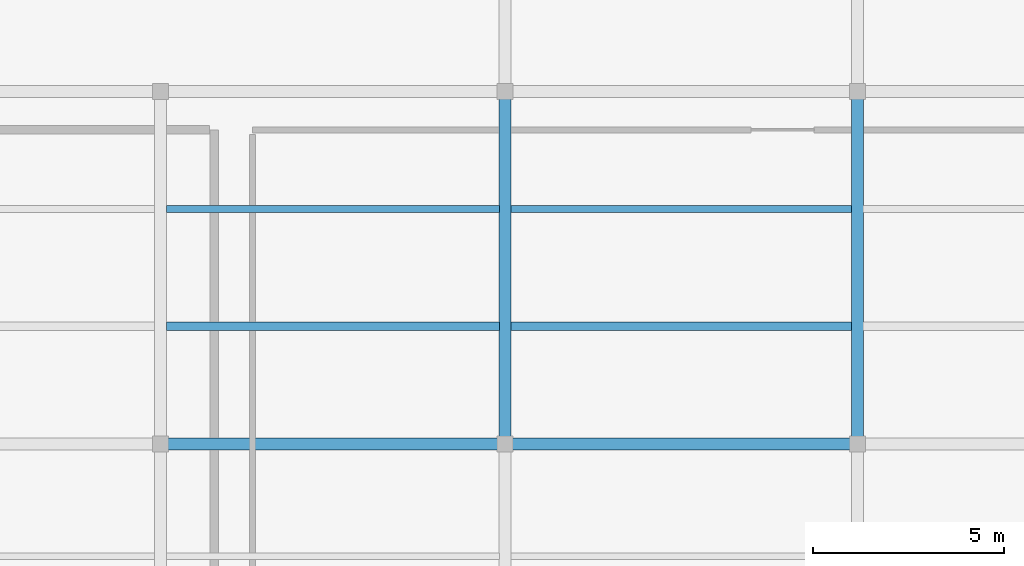
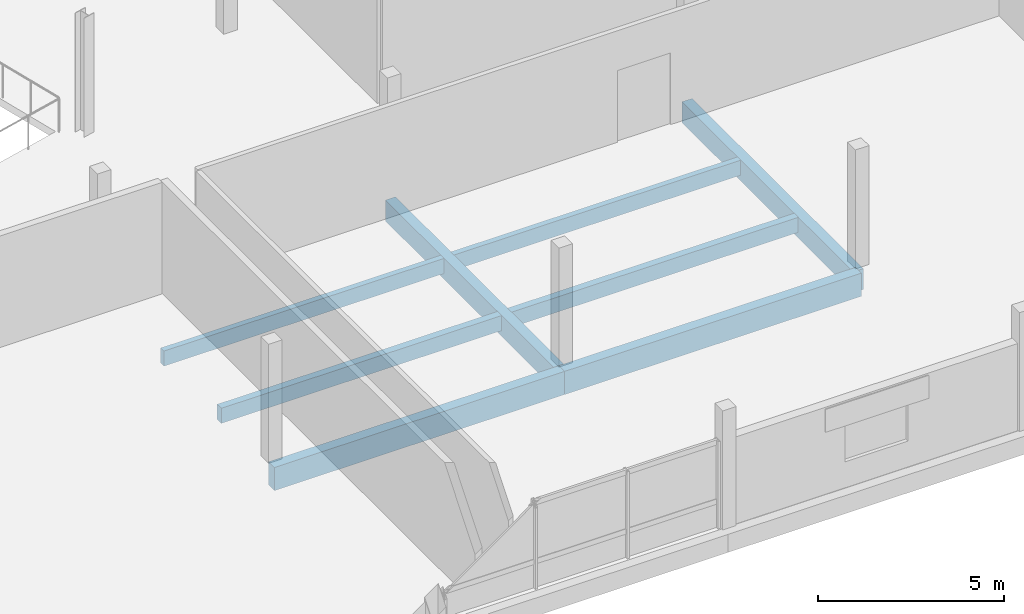
# One storey, part 12 of 47: 8 beams.
"""IFC4 building model written with IfcOpenShell, lengths in metres."""

from ifc_helpers import new_model, si_unit, direction, frame, origin, origin_2d, place, context, subcontext, project, spatial, rectangle, extrude, material, material_profile, profile_set, type_object, element, save


model = new_model("IFC4")

# Units and contexts
model_context = context("Model", 3, precision=1e-05, world=origin(), true_north=direction((0.0, 1.0)))
body_context = subcontext(model_context, "Body", "Model", "MODEL_VIEW")
ifc_project = project(units=[si_unit("LENGTHUNIT", "METRE"), si_unit("AREAUNIT", "SQUARE_METRE"), si_unit("VOLUMEUNIT", "CUBIC_METRE"), si_unit("PLANEANGLEUNIT", "RADIAN"), si_unit("MASSUNIT", "GRAM", prefix="KILO")], contexts=[model_context])

# Site, building, storey
site_placement = place(None, origin())
site = spatial("IfcSite", under=ifc_project, at=site_placement, CompositionType="ELEMENT")
building_placement = place(site_placement, origin())
building = spatial("IfcBuilding", under=site, at=building_placement, Name="Meriwether Solvik Hall", CompositionType="ELEMENT")
storey_placement = place(building_placement, frame((0.0, 0.0, 18.300048828125)))
storey = spatial("IfcBuildingStorey", under=building, at=storey_placement, Name="L04", CompositionType="ELEMENT", Elevation=18.300048828125)

# Beams
ifc_material_1 = material(Name="Glulam Douglas-Fir 24F-V8 GL28h", Category="wood")
ifc_material_profile_1 = material_profile(ifc_material_1, rectangle(XDim=0.31494140625, YDim=0.68505859375, at=origin_2d()), Name="GLB-315X685")
ifc_profile_set_1 = profile_set([ifc_material_profile_1], Name="Glulam Douglas-Fir 24F-V8 GL28h")
beam_type_1 = type_object("IfcBeamType", Name="BM-GL-315X685", PredefinedType="BEAM", material=ifc_profile_set_1)
for number, where, z_axis, x_axis, name in (
    (1, (95.800048828125, 14.0, -0.587646484375), (0.0, 1.0, 0.0), (-1.0, 0.0, 0.0), "Podium Girder 11:B-C (L04)"),
    (2, (105.0, 14.0, -0.587646484375), (0.0, 1.0, 0.0), (-1.0, 0.0, 0.0), "Podium Girder 12:B-C (L04)"),
):
    element("IfcBeam", number, at=place(storey_placement, frame(where, z_axis=z_axis, x_axis=x_axis)), inside=storey, type_object=beam_type_1, Name=name, PredefinedType="BEAM", context=body_context, shape_type="SweptSolid", body=[
        extrude(rectangle(XDim=0.31494140625, YDim=0.68505859375, at=origin_2d()), origin(), (0.0, 0.0, 1.0), 9.199951171875),
    ])
ifc_material_2 = material(Name="Glulam Douglas-Fir 24F-V8 GL28h", Category="wood")
ifc_material_profile_2 = material_profile(ifc_material_2, rectangle(XDim=0.31494140625, YDim=0.760009765625, at=origin_2d()), Name="GLB-315X760")
ifc_profile_set_2 = profile_set([ifc_material_profile_2], Name="Glulam Douglas-Fir 24F-V8 GL28h")
beam_type_2 = type_object("IfcBeamType", Name="BM-GL-315X760", PredefinedType="BEAM", material=ifc_profile_set_2)
beam_1_placement = place(storey_placement, frame((86.800048828125, 14.0, -0.625), z_axis=(1.0, 0.0, 0.0), x_axis=(0.0, 1.0, 0.0)))
element("IfcBeam", 3, at=beam_1_placement, inside=storey, type_object=beam_type_2, Name="Podium Girder B:10-11 (L04)", PredefinedType="BEAM", context=body_context, shape_type="SweptSolid", body=[
    extrude(rectangle(XDim=0.31494140625, YDim=0.760009765625, at=origin_2d()), origin(), (0.0, 0.0, 1.0), 9.0),
])
beam_2_placement = place(storey_placement, frame((95.800048828125, 14.0, -0.625), z_axis=(1.0, 0.0, 0.0), x_axis=(0.0, 1.0, 0.0)))
element("IfcBeam", 4, at=beam_2_placement, inside=storey, type_object=beam_type_2, Name="Podium Girder B:11-12 (L04)", PredefinedType="BEAM", context=body_context, shape_type="SweptSolid", body=[
    extrude(rectangle(XDim=0.31494140625, YDim=0.760009765625, at=origin_2d()), origin(), (0.0, 0.0, 1.0), 9.199951171875),
])
ifc_material_3 = material(Name="Glulam Douglas-Fir 24F-V8 GL28h", Category="wood")
ifc_material_profile_3 = material_profile(ifc_material_3, rectangle(XDim=0.175048828125, YDim=0.4951171875, at=origin_2d()), Name="GLJ-175X495")
ifc_profile_set_3 = profile_set([ifc_material_profile_3], Name="Glulam Douglas-Fir 24F-V8 GL28h")
beam_type_3 = type_object("IfcBeamType", Name="JST-GL-175X495", PredefinedType="JOIST", material=ifc_profile_set_3)
beam_3_placement = place(storey_placement, frame((86.952392578125, 20.13330078125, -0.492431640625), z_axis=(1.0, 0.0, 0.0), x_axis=(0.0, 1.0, 0.0)))
element("IfcBeam", 5, at=beam_3_placement, inside=storey, type_object=beam_type_3, Name="Secondary Floor Joist 10/B_J2 (L04)", PredefinedType="JOIST", context=body_context, shape_type="SweptSolid", body=[
    extrude(rectangle(XDim=0.175048828125, YDim=0.4951171875, at=origin_2d()), origin(), (0.0, 0.0, 1.0), 8.695068359375),
])
beam_4_placement = place(storey_placement, frame((95.952392578125, 20.13330078125, -0.492431640625), z_axis=(1.0, 0.0, 0.0), x_axis=(0.0, 1.0, 0.0)))
element("IfcBeam", 6, at=beam_4_placement, inside=storey, type_object=beam_type_3, Name="Secondary Floor Joist 11/B_J2 (L04)", PredefinedType="JOIST", context=body_context, shape_type="SweptSolid", body=[
    extrude(rectangle(XDim=0.175048828125, YDim=0.4951171875, at=origin_2d()), origin(), (0.0, 0.0, 1.0), 8.89501953125),
])
ifc_material_4 = material(Name="Glulam Douglas-Fir 24F-V8 GL28h", Category="wood")
ifc_material_profile_4 = material_profile(ifc_material_4, rectangle(XDim=0.221923828125, YDim=0.4951171875, at=origin_2d()), Name="GLJ-222X495")
ifc_profile_set_4 = profile_set([ifc_material_profile_4], Name="Glulam Douglas-Fir 24F-V8 GL28h")
beam_type_4 = type_object("IfcBeamType", Name="JST-GL-222X495", PredefinedType="JOIST", material=ifc_profile_set_4)
beam_5_placement = place(storey_placement, frame((86.952392578125, 17.066650390625, -0.492431640625), z_axis=(1.0, 0.0, 0.0), x_axis=(0.0, 1.0, 0.0)))
element("IfcBeam", 7, at=beam_5_placement, inside=storey, type_object=beam_type_4, Name="Secondary Floor Joist 10/B_J1 (L04)", PredefinedType="JOIST", context=body_context, shape_type="SweptSolid", body=[
    extrude(rectangle(XDim=0.221923828125, YDim=0.4951171875, at=origin_2d()), origin(), (0.0, 0.0, 1.0), 8.695068359375),
])
beam_6_placement = place(storey_placement, frame((95.952392578125, 17.066650390625, -0.492431640625), z_axis=(1.0, 0.0, 0.0), x_axis=(0.0, 1.0, 0.0)))
element("IfcBeam", 8, at=beam_6_placement, inside=storey, type_object=beam_type_4, Name="Secondary Floor Joist 11/B_J1 (L04)", PredefinedType="JOIST", context=body_context, shape_type="SweptSolid", body=[
    extrude(rectangle(XDim=0.221923828125, YDim=0.4951171875, at=origin_2d()), origin(), (0.0, 0.0, 1.0), 8.89501953125),
])

save(model, "model.ifc")
